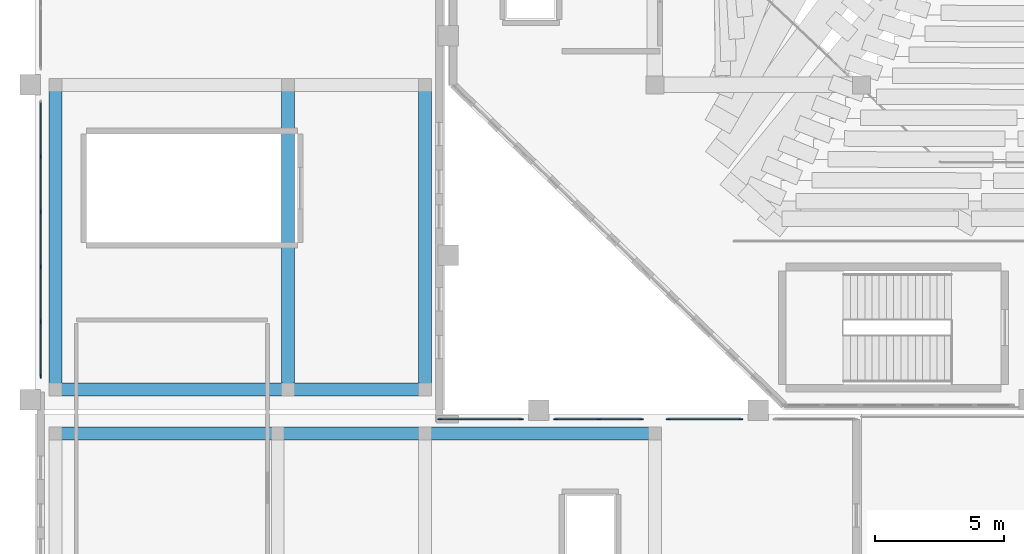
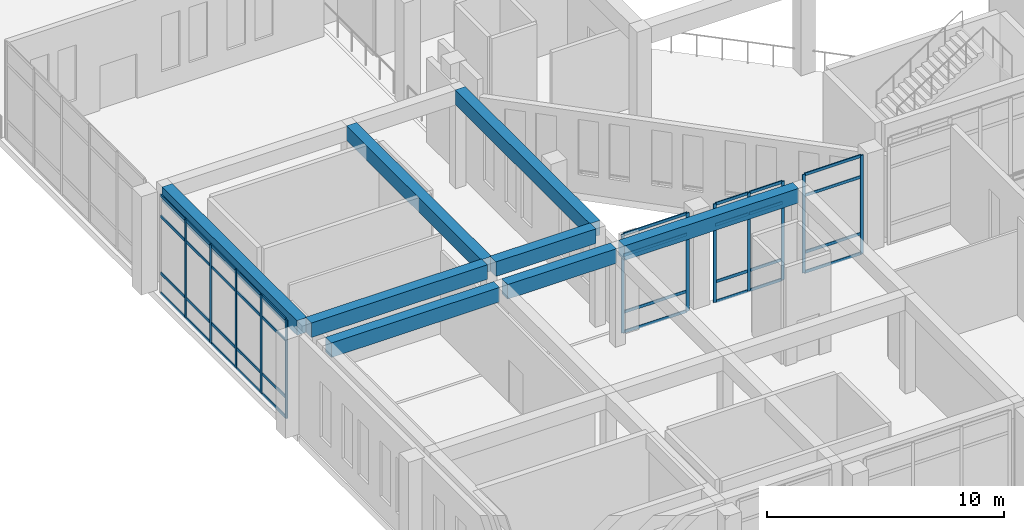
# One storey, part 5 of 55: 48 members, 8 beams, 4 elements without a shape of their own.
"""IFC4 building model written with IfcOpenShell, lengths in metres."""

from ifc_helpers import new_model, si_unit, derived_unit, direction, frame, origin, origin_2d, place, context, subcontext, project, spatial, rectangle, extrude, material, layer, layer_set, material_profile, profile_set, type_object, element, aggregate, save


model = new_model("IFC4")

# Units and contexts
model_context = context("Model", 3, precision=1e-05, world=origin(), true_north=direction((0.0, 1.0)))
body_context = subcontext(model_context, "Body", "Model", "MODEL_VIEW")
ifc_project = project(units=[si_unit("LENGTHUNIT", "METRE"), si_unit("AREAUNIT", "SQUARE_METRE"), si_unit("VOLUMEUNIT", "CUBIC_METRE"), si_unit("PLANEANGLEUNIT", "RADIAN"), si_unit("MASSUNIT", "GRAM", prefix="KILO"), derived_unit("THERMALTRANSMITTANCEUNIT", [(si_unit("MASSUNIT", "GRAM", prefix="KILO"), 1), (si_unit("TIMEUNIT", "SECOND"), -3), (si_unit("THERMODYNAMICTEMPERATUREUNIT", "KELVIN"), -1)])], contexts=[model_context])

# Site, building, storey
site_placement = place(None, origin())
site = spatial("IfcSite", under=ifc_project, at=site_placement, CompositionType="ELEMENT")
building_placement = place(site_placement, origin())
building = spatial("IfcBuilding", under=site, at=building_placement, Name="Valcora Ridge Arena", CompositionType="ELEMENT")
storey_placement = place(building_placement, frame((0.0, 0.0, 21.0)))
storey = spatial("IfcBuildingStorey", under=building, at=storey_placement, Name="L04", CompositionType="ELEMENT", Elevation=21.0)

# Beams
ifc_material_1 = material(Name="Concrete C40/50", Category="concrete")
ifc_material_profile_1 = material_profile(ifc_material_1, rectangle(XDim=0.5, YDim=0.75, at=origin_2d()), Name="RC 500x750")
ifc_profile_set_1 = profile_set([ifc_material_profile_1], Name="Concrete C40/50")
beam_type_1 = type_object("IfcBeamType", Name="TY-BEAM-B-RC500-X", PredefinedType="BEAM", material=ifc_profile_set_1)
beam_1_placement = place(storey_placement, frame((1.0, 19.10009765625, 4.705078125), z_axis=(1.0, 0.0, 0.0), x_axis=(0.0, 1.0, 0.0)))
element("IfcBeam", 1, at=beam_1_placement, inside=storey, type_object=beam_type_1, Name="B-RC500-X BEM-B-RC500-X-0092", PredefinedType="BEAM", context=body_context, shape_type="SweptSolid", body=[
    extrude(rectangle(XDim=0.5, YDim=0.75, at=origin_2d()), origin(), (0.0, 0.0, 1.0), 8.199951171875),
])
beam_2_placement = place(storey_placement, frame((9.60009765625, 19.10009765625, 4.705078125), z_axis=(1.0, 0.0, 0.0), x_axis=(0.0, 1.0, 0.0)))
element("IfcBeam", 2, at=beam_2_placement, inside=storey, type_object=beam_type_1, Name="B-RC500-X BEM-B-RC500-X-0093", PredefinedType="BEAM", context=body_context, shape_type="SweptSolid", body=[
    extrude(rectangle(XDim=0.5, YDim=0.75, at=origin_2d()), origin(), (0.0, 0.0, 1.0), 5.2998046875),
])
beam_3_placement = place(storey_placement, frame((15.300048828125, 19.10009765625, 4.705078125), z_axis=(1.0, 0.0, 0.0), x_axis=(0.0, 1.0, 0.0)))
element("IfcBeam", 3, at=beam_3_placement, inside=storey, type_object=beam_type_1, Name="B-RC500-X BEM-B-RC500-X-0094", PredefinedType="BEAM", context=body_context, shape_type="SweptSolid", body=[
    extrude(rectangle(XDim=0.5, YDim=0.75, at=origin_2d()), origin(), (0.0, 0.0, 1.0), 8.5),
])
beam_4_placement = place(storey_placement, frame((1.0, 20.800048828125, 4.705078125), z_axis=(1.0, 0.0, 0.0), x_axis=(0.0, 1.0, 0.0)))
element("IfcBeam", 4, at=beam_4_placement, inside=storey, type_object=beam_type_1, Name="B-RC500-X BEM-B-RC500-X-0095", PredefinedType="BEAM", context=body_context, shape_type="SweptSolid", body=[
    extrude(rectangle(XDim=0.5, YDim=0.75, at=origin_2d()), origin(), (0.0, 0.0, 1.0), 8.60009765625),
])
beam_5_placement = place(storey_placement, frame((10.0, 20.800048828125, 4.705078125), z_axis=(1.0, 0.0, 0.0), x_axis=(0.0, 1.0, 0.0)))
element("IfcBeam", 5, at=beam_5_placement, inside=storey, type_object=beam_type_1, Name="B-RC500-X BEM-B-RC500-X-0096", PredefinedType="BEAM", context=body_context, shape_type="SweptSolid", body=[
    extrude(rectangle(XDim=0.5, YDim=0.75, at=origin_2d()), origin(), (0.0, 0.0, 1.0), 4.89990234375),
])
ifc_material_profile_2 = material_profile(ifc_material_1, rectangle(XDim=0.5, YDim=0.75, at=origin_2d()), Name="RC 500x750")
ifc_profile_set_2 = profile_set([ifc_material_profile_2], Name="Concrete C40/50")
beam_type_2 = type_object("IfcBeamType", Name="TY-BEAM-B-RC500-Y", PredefinedType="BEAM", material=ifc_profile_set_2)
for number, where, z_axis, x_axis, name in (
    (6, (0.800048828125, 21.0, 4.705078125), (0.0, 1.0, 0.0), (-1.0, 0.0, 0.0), "B-RC500-Y BEM-B-RC500-Y-0109"),
    (7, (9.800048828125, 21.0, 4.705078125), (0.0, 1.0, 0.0), (-1.0, 0.0, 0.0), "B-RC500-Y BEM-B-RC500-Y-0112"),
    (8, (15.10009765625, 21.0, 4.705078125), (0.0, 1.0, 0.0), (-1.0, 0.0, 0.0), "B-RC500-Y BEM-B-RC500-Y-0115"),
):
    element("IfcBeam", number, at=place(storey_placement, frame(where, z_axis=z_axis, x_axis=x_axis)), inside=storey, type_object=beam_type_2, Name=name, PredefinedType="BEAM", context=body_context, shape_type="SweptSolid", body=[
        extrude(rectangle(XDim=0.5, YDim=0.75, at=origin_2d()), origin(), (0.0, 0.0, 1.0), 11.39990234375),
    ])

# Curtain wall, members
ifc_material_2 = material(Name="Anodised dark bronze architectural aluminium 6063-T6", Category="aluminium")
ifc_layer_1 = layer(ifc_material_2, 0.14990234375, Name="Anodised dark bronze architectural aluminium 6063-T6")
ifc_layer_set_1 = layer_set([ifc_layer_1], Name="Anodised dark bronze architectural aluminium 6063-T6")
curtain_wall_type_1 = type_object("IfcCurtainWallType", Name="TY-CURTAINWALL-CW-V4-CLUB-032X51", PredefinedType="NOTDEFINED", material=ifc_layer_set_1)
curtain_wall_1_placement = place(storey_placement, origin())
curtain_wall_1 = element("IfcCurtainWall", 9, at=curtain_wall_1_placement, inside=storey, type_object=curtain_wall_type_1, Name="CW-V4-CLUB-032X51 CW-0300", PredefinedType="NOTDEFINED")
ifc_material_profile_3 = material_profile(ifc_material_2, rectangle(XDim=0.050048828125, YDim=0.14990234375, at=origin_2d()), Name="ALU MULLION 50x150")
ifc_profile_set_3 = profile_set([ifc_material_profile_3], Name="Anodised dark bronze architectural aluminium 6063-T6")
member_type_1 = type_object("IfcMemberType", Name="TY-MEM-CWM-50x150", PredefinedType="MULLION", material=ifc_profile_set_3)
member_1_placement = place(storey_placement, frame((15.675048828125, 19.64990234375, 0.0), z_axis=(0.0, 0.0, 1.0), x_axis=(0.0, 1.0, 0.0)))
member_1 = element("IfcMember", 10, at=member_1_placement, type_object=member_type_1, Name="CW-0300/CWM-50x150/M00", PredefinedType="MULLION", context=body_context, shape_type="SweptSolid", body=[
    extrude(rectangle(XDim=0.050048828125, YDim=0.14990234375, at=origin_2d()), origin(), (0.0, 0.0, 1.0), 5.080078125),
])
member_2_placement = place(storey_placement, frame((18.8349609375, 19.64990234375, 0.0), z_axis=(0.0, 0.0, 1.0), x_axis=(0.0, 1.0, 0.0)))
member_2 = element("IfcMember", 11, at=member_2_placement, type_object=member_type_1, Name="CW-0300/CWM-50x150/M01", PredefinedType="MULLION", context=body_context, shape_type="SweptSolid", body=[
    extrude(rectangle(XDim=0.050048828125, YDim=0.14990234375, at=origin_2d()), origin(), (0.0, 0.0, 1.0), 5.080078125),
])

ifc_layer_2 = layer(ifc_material_2, 0.14990234375, Name="Anodised dark bronze architectural aluminium 6063-T6")
ifc_layer_set_2 = layer_set([ifc_layer_2], Name="Anodised dark bronze architectural aluminium 6063-T6")
curtain_wall_type_2 = type_object("IfcCurtainWallType", Name="TY-CURTAINWALL-CW-V4-CLUB-034X51", PredefinedType="NOTDEFINED", material=ifc_layer_set_2)
curtain_wall_2_placement = place(storey_placement, origin())
curtain_wall_2 = element("IfcCurtainWall", 12, at=curtain_wall_2_placement, inside=storey, type_object=curtain_wall_type_2, Name="CW-V4-CLUB-034X51 CW-0301", PredefinedType="NOTDEFINED")
member_3_placement = place(storey_placement, frame((20.1650390625, 19.64990234375, 0.0), z_axis=(0.0, 0.0, 1.0), x_axis=(0.0, 1.0, 0.0)))
member_3 = element("IfcMember", 13, at=member_3_placement, type_object=member_type_1, Name="CW-0301/CWM-50x150/M00", PredefinedType="MULLION", context=body_context, shape_type="SweptSolid", body=[
    extrude(rectangle(XDim=0.050048828125, YDim=0.14990234375, at=origin_2d()), origin(), (0.0, 0.0, 1.0), 5.080078125),
])
member_4_placement = place(storey_placement, frame((21.824951171875, 19.64990234375, 0.0), z_axis=(0.0, 0.0, 1.0), x_axis=(0.0, 1.0, 0.0)))
member_4 = element("IfcMember", 14, at=member_4_placement, type_object=member_type_1, Name="CW-0301/CWM-50x150/M01", PredefinedType="MULLION", context=body_context, shape_type="SweptSolid", body=[
    extrude(rectangle(XDim=0.050048828125, YDim=0.14990234375, at=origin_2d()), origin(), (0.0, 0.0, 1.0), 5.080078125),
])
member_5_placement = place(storey_placement, frame((23.485107421875, 19.64990234375, 0.0), z_axis=(0.0, 0.0, 1.0), x_axis=(0.0, 1.0, 0.0)))
member_5 = element("IfcMember", 15, at=member_5_placement, type_object=member_type_1, Name="CW-0301/CWM-50x150/M02", PredefinedType="MULLION", context=body_context, shape_type="SweptSolid", body=[
    extrude(rectangle(XDim=0.050048828125, YDim=0.14990234375, at=origin_2d()), origin(), (0.0, 0.0, 1.0), 5.080078125),
])

ifc_layer_3 = layer(ifc_material_2, 0.14990234375, Name="Anodised dark bronze architectural aluminium 6063-T6")
ifc_layer_set_3 = layer_set([ifc_layer_3], Name="Anodised dark bronze architectural aluminium 6063-T6")
curtain_wall_type_3 = type_object("IfcCurtainWallType", Name="TY-CURTAINWALL-CW-V4-CLUB-029X51", PredefinedType="NOTDEFINED", material=ifc_layer_set_3)
curtain_wall_3_placement = place(storey_placement, origin())
curtain_wall_3 = element("IfcCurtainWall", 16, at=curtain_wall_3_placement, inside=storey, type_object=curtain_wall_type_3, Name="CW-V4-CLUB-029X51 CW-0302", PredefinedType="NOTDEFINED")
member_6_placement = place(storey_placement, frame((24.514892578125, 19.64990234375, 0.0), z_axis=(0.0, 0.0, 1.0), x_axis=(0.0, 1.0, 0.0)))
member_6 = element("IfcMember", 17, at=member_6_placement, type_object=member_type_1, Name="CW-0302/CWM-50x150/M00", PredefinedType="MULLION", context=body_context, shape_type="SweptSolid", body=[
    extrude(rectangle(XDim=0.050048828125, YDim=0.14990234375, at=origin_2d()), origin(), (0.0, 0.0, 1.0), 5.080078125),
])
member_7_placement = place(storey_placement, frame((27.3349609375, 19.64990234375, 0.0), z_axis=(0.0, 0.0, 1.0), x_axis=(0.0, 1.0, 0.0)))
member_7 = element("IfcMember", 18, at=member_7_placement, type_object=member_type_1, Name="CW-0302/CWM-50x150/M01", PredefinedType="MULLION", context=body_context, shape_type="SweptSolid", body=[
    extrude(rectangle(XDim=0.050048828125, YDim=0.14990234375, at=origin_2d()), origin(), (0.0, 0.0, 1.0), 5.080078125),
])

ifc_layer_4 = layer(ifc_material_2, 0.14990234375, Name="Anodised dark bronze architectural aluminium 6063-T6")
ifc_layer_set_4 = layer_set([ifc_layer_4], Name="Anodised dark bronze architectural aluminium 6063-T6")
curtain_wall_type_4 = type_object("IfcCurtainWallType", Name="TY-CURTAINWALL-CW-V4-CLUB-107X51", PredefinedType="NOTDEFINED", material=ifc_layer_set_4)
curtain_wall_4_placement = place(storey_placement, origin())
curtain_wall_4 = element("IfcCurtainWall", 19, at=curtain_wall_4_placement, inside=storey, type_object=curtain_wall_type_4, Name="CW-V4-CLUB-107X51 CW-0304", PredefinedType="NOTDEFINED")
member_8_placement = place(storey_placement, frame((0.219970703125, 21.31494140625, 0.0), z_axis=(0.0, 0.0, 1.0), x_axis=(-1.0, 0.0, 0.0)))
member_8 = element("IfcMember", 20, at=member_8_placement, type_object=member_type_1, Name="CW-0304/CWM-50x150/M00", PredefinedType="MULLION", context=body_context, shape_type="SweptSolid", body=[
    extrude(rectangle(XDim=0.050048828125, YDim=0.14990234375, at=origin_2d()), origin(), (0.0, 0.0, 1.0), 5.080078125),
])
member_9_placement = place(storey_placement, frame((0.219970703125, 23.424072265625, 0.0), z_axis=(0.0, 0.0, 1.0), x_axis=(-1.0, 0.0, 0.0)))
member_9 = element("IfcMember", 21, at=member_9_placement, type_object=member_type_1, Name="CW-0304/CWM-50x150/M01", PredefinedType="MULLION", context=body_context, shape_type="SweptSolid", body=[
    extrude(rectangle(XDim=0.050048828125, YDim=0.14990234375, at=origin_2d()), origin(), (0.0, 0.0, 1.0), 5.080078125),
])
member_10_placement = place(storey_placement, frame((0.219970703125, 25.55810546875, 0.0), z_axis=(0.0, 0.0, 1.0), x_axis=(-1.0, 0.0, 0.0)))
member_10 = element("IfcMember", 22, at=member_10_placement, type_object=member_type_1, Name="CW-0304/CWM-50x150/M02", PredefinedType="MULLION", context=body_context, shape_type="SweptSolid", body=[
    extrude(rectangle(XDim=0.050048828125, YDim=0.14990234375, at=origin_2d()), origin(), (0.0, 0.0, 1.0), 5.080078125),
])
member_11_placement = place(storey_placement, frame((0.219970703125, 27.69189453125, 0.0), z_axis=(0.0, 0.0, 1.0), x_axis=(-1.0, 0.0, 0.0)))
member_11 = element("IfcMember", 23, at=member_11_placement, type_object=member_type_1, Name="CW-0304/CWM-50x150/M03", PredefinedType="MULLION", context=body_context, shape_type="SweptSolid", body=[
    extrude(rectangle(XDim=0.050048828125, YDim=0.14990234375, at=origin_2d()), origin(), (0.0, 0.0, 1.0), 5.080078125),
])
member_12_placement = place(storey_placement, frame((0.219970703125, 29.825927734375, 0.0), z_axis=(0.0, 0.0, 1.0), x_axis=(-1.0, 0.0, 0.0)))
member_12 = element("IfcMember", 24, at=member_12_placement, type_object=member_type_1, Name="CW-0304/CWM-50x150/M04", PredefinedType="MULLION", context=body_context, shape_type="SweptSolid", body=[
    extrude(rectangle(XDim=0.050048828125, YDim=0.14990234375, at=origin_2d()), origin(), (0.0, 0.0, 1.0), 5.080078125),
])

# Member
ifc_material_profile_4 = material_profile(ifc_material_2, rectangle(XDim=0.050048828125, YDim=0.14990234375, at=origin_2d()), Name="ALU TRANSOM 50x150")
ifc_profile_set_4 = profile_set([ifc_material_profile_4], Name="Anodised dark bronze architectural aluminium 6063-T6")
member_type_2 = type_object("IfcMemberType", Name="TY-MEM-CWT-50x150", PredefinedType="USERDEFINED", material=ifc_profile_set_4)
member_13_placement = place(storey_placement, frame((15.699951171875, 19.64990234375, 0.02490234375), z_axis=(1.0, 0.0, 0.0), x_axis=(0.0, 1.0, 0.0)))
member_13 = element("IfcMember", 25, at=member_13_placement, type_object=member_type_2, Name="CW-0300/CWT-50x150/T00-00", ObjectType="TRANSOM", PredefinedType="USERDEFINED", context=body_context, shape_type="SweptSolid", body=[
    extrude(rectangle(XDim=0.050048828125, YDim=0.14990234375, at=origin_2d()), origin(), (0.0, 0.0, 1.0), 3.110107421875),
])

member_14_placement = place(storey_placement, frame((15.699951171875, 19.64990234375, 1.050048828125), z_axis=(1.0, 0.0, 0.0), x_axis=(0.0, 1.0, 0.0)))
member_14 = element("IfcMember", 26, at=member_14_placement, type_object=member_type_2, Name="CW-0300/CWT-50x150/T00-01", ObjectType="TRANSOM", PredefinedType="USERDEFINED", context=body_context, shape_type="SweptSolid", body=[
    extrude(rectangle(XDim=0.050048828125, YDim=0.14990234375, at=origin_2d()), origin(), (0.0, 0.0, 1.0), 3.110107421875),
])

member_15_placement = place(storey_placement, frame((15.699951171875, 19.64990234375, 3.97998046875), z_axis=(1.0, 0.0, 0.0), x_axis=(0.0, 1.0, 0.0)))
member_15 = element("IfcMember", 27, at=member_15_placement, type_object=member_type_2, Name="CW-0300/CWT-50x150/T00-02", ObjectType="TRANSOM", PredefinedType="USERDEFINED", context=body_context, shape_type="SweptSolid", body=[
    extrude(rectangle(XDim=0.050048828125, YDim=0.14990234375, at=origin_2d()), origin(), (0.0, 0.0, 1.0), 3.110107421875),
])

member_16_placement = place(storey_placement, frame((15.699951171875, 19.64990234375, 5.054931640625), z_axis=(1.0, 0.0, 0.0), x_axis=(0.0, 1.0, 0.0)))
member_16 = element("IfcMember", 28, at=member_16_placement, type_object=member_type_2, Name="CW-0300/CWT-50x150/T00-03", ObjectType="TRANSOM", PredefinedType="USERDEFINED", context=body_context, shape_type="SweptSolid", body=[
    extrude(rectangle(XDim=0.050048828125, YDim=0.14990234375, at=origin_2d()), origin(), (0.0, 0.0, 1.0), 3.110107421875),
])

aggregate(curtain_wall_1, [member_1, member_2, member_13, member_14, member_15, member_16])

member_17_placement = place(storey_placement, frame((20.18994140625, 19.64990234375, 0.02490234375), z_axis=(1.0, 0.0, 0.0), x_axis=(0.0, 1.0, 0.0)))
member_17 = element("IfcMember", 29, at=member_17_placement, type_object=member_type_2, Name="CW-0301/CWT-50x150/T00-00", ObjectType="TRANSOM", PredefinedType="USERDEFINED", context=body_context, shape_type="SweptSolid", body=[
    extrude(rectangle(XDim=0.050048828125, YDim=0.14990234375, at=origin_2d()), origin(), (0.0, 0.0, 1.0), 1.610107421875),
])

member_18_placement = place(storey_placement, frame((20.18994140625, 19.64990234375, 1.050048828125), z_axis=(1.0, 0.0, 0.0), x_axis=(0.0, 1.0, 0.0)))
member_18 = element("IfcMember", 30, at=member_18_placement, type_object=member_type_2, Name="CW-0301/CWT-50x150/T00-01", ObjectType="TRANSOM", PredefinedType="USERDEFINED", context=body_context, shape_type="SweptSolid", body=[
    extrude(rectangle(XDim=0.050048828125, YDim=0.14990234375, at=origin_2d()), origin(), (0.0, 0.0, 1.0), 1.610107421875),
])

member_19_placement = place(storey_placement, frame((20.18994140625, 19.64990234375, 3.97998046875), z_axis=(1.0, 0.0, 0.0), x_axis=(0.0, 1.0, 0.0)))
member_19 = element("IfcMember", 31, at=member_19_placement, type_object=member_type_2, Name="CW-0301/CWT-50x150/T00-02", ObjectType="TRANSOM", PredefinedType="USERDEFINED", context=body_context, shape_type="SweptSolid", body=[
    extrude(rectangle(XDim=0.050048828125, YDim=0.14990234375, at=origin_2d()), origin(), (0.0, 0.0, 1.0), 1.610107421875),
])

member_20_placement = place(storey_placement, frame((20.18994140625, 19.64990234375, 5.054931640625), z_axis=(1.0, 0.0, 0.0), x_axis=(0.0, 1.0, 0.0)))
member_20 = element("IfcMember", 32, at=member_20_placement, type_object=member_type_2, Name="CW-0301/CWT-50x150/T00-03", ObjectType="TRANSOM", PredefinedType="USERDEFINED", context=body_context, shape_type="SweptSolid", body=[
    extrude(rectangle(XDim=0.050048828125, YDim=0.14990234375, at=origin_2d()), origin(), (0.0, 0.0, 1.0), 1.610107421875),
])

member_21_placement = place(storey_placement, frame((21.85009765625, 19.64990234375, 0.02490234375), z_axis=(1.0, 0.0, 0.0), x_axis=(0.0, 1.0, 0.0)))
member_21 = element("IfcMember", 33, at=member_21_placement, type_object=member_type_2, Name="CW-0301/CWT-50x150/T01-00", ObjectType="TRANSOM", PredefinedType="USERDEFINED", context=body_context, shape_type="SweptSolid", body=[
    extrude(rectangle(XDim=0.050048828125, YDim=0.14990234375, at=origin_2d()), origin(), (0.0, 0.0, 1.0), 1.60986328125),
])

member_22_placement = place(storey_placement, frame((21.85009765625, 19.64990234375, 1.050048828125), z_axis=(1.0, 0.0, 0.0), x_axis=(0.0, 1.0, 0.0)))
member_22 = element("IfcMember", 34, at=member_22_placement, type_object=member_type_2, Name="CW-0301/CWT-50x150/T01-01", ObjectType="TRANSOM", PredefinedType="USERDEFINED", context=body_context, shape_type="SweptSolid", body=[
    extrude(rectangle(XDim=0.050048828125, YDim=0.14990234375, at=origin_2d()), origin(), (0.0, 0.0, 1.0), 1.60986328125),
])

member_23_placement = place(storey_placement, frame((21.85009765625, 19.64990234375, 3.97998046875), z_axis=(1.0, 0.0, 0.0), x_axis=(0.0, 1.0, 0.0)))
member_23 = element("IfcMember", 35, at=member_23_placement, type_object=member_type_2, Name="CW-0301/CWT-50x150/T01-02", ObjectType="TRANSOM", PredefinedType="USERDEFINED", context=body_context, shape_type="SweptSolid", body=[
    extrude(rectangle(XDim=0.050048828125, YDim=0.14990234375, at=origin_2d()), origin(), (0.0, 0.0, 1.0), 1.60986328125),
])

member_24_placement = place(storey_placement, frame((21.85009765625, 19.64990234375, 5.054931640625), z_axis=(1.0, 0.0, 0.0), x_axis=(0.0, 1.0, 0.0)))
member_24 = element("IfcMember", 36, at=member_24_placement, type_object=member_type_2, Name="CW-0301/CWT-50x150/T01-03", ObjectType="TRANSOM", PredefinedType="USERDEFINED", context=body_context, shape_type="SweptSolid", body=[
    extrude(rectangle(XDim=0.050048828125, YDim=0.14990234375, at=origin_2d()), origin(), (0.0, 0.0, 1.0), 1.60986328125),
])

aggregate(curtain_wall_2, [member_3, member_4, member_5, member_17, member_18, member_19, member_20, member_21, member_22, member_23, member_24])

member_25_placement = place(storey_placement, frame((24.5400390625, 19.64990234375, 0.02490234375), z_axis=(1.0, 0.0, 0.0), x_axis=(0.0, 1.0, 0.0)))
member_25 = element("IfcMember", 37, at=member_25_placement, type_object=member_type_2, Name="CW-0302/CWT-50x150/T00-00", ObjectType="TRANSOM", PredefinedType="USERDEFINED", context=body_context, shape_type="SweptSolid", body=[
    extrude(rectangle(XDim=0.050048828125, YDim=0.14990234375, at=origin_2d()), origin(), (0.0, 0.0, 1.0), 2.77001953125),
])

member_26_placement = place(storey_placement, frame((24.5400390625, 19.64990234375, 1.050048828125), z_axis=(1.0, 0.0, 0.0), x_axis=(0.0, 1.0, 0.0)))
member_26 = element("IfcMember", 38, at=member_26_placement, type_object=member_type_2, Name="CW-0302/CWT-50x150/T00-01", ObjectType="TRANSOM", PredefinedType="USERDEFINED", context=body_context, shape_type="SweptSolid", body=[
    extrude(rectangle(XDim=0.050048828125, YDim=0.14990234375, at=origin_2d()), origin(), (0.0, 0.0, 1.0), 2.77001953125),
])

member_27_placement = place(storey_placement, frame((24.5400390625, 19.64990234375, 3.97998046875), z_axis=(1.0, 0.0, 0.0), x_axis=(0.0, 1.0, 0.0)))
member_27 = element("IfcMember", 39, at=member_27_placement, type_object=member_type_2, Name="CW-0302/CWT-50x150/T00-02", ObjectType="TRANSOM", PredefinedType="USERDEFINED", context=body_context, shape_type="SweptSolid", body=[
    extrude(rectangle(XDim=0.050048828125, YDim=0.14990234375, at=origin_2d()), origin(), (0.0, 0.0, 1.0), 2.77001953125),
])

member_28_placement = place(storey_placement, frame((24.5400390625, 19.64990234375, 5.054931640625), z_axis=(1.0, 0.0, 0.0), x_axis=(0.0, 1.0, 0.0)))
member_28 = element("IfcMember", 40, at=member_28_placement, type_object=member_type_2, Name="CW-0302/CWT-50x150/T00-03", ObjectType="TRANSOM", PredefinedType="USERDEFINED", context=body_context, shape_type="SweptSolid", body=[
    extrude(rectangle(XDim=0.050048828125, YDim=0.14990234375, at=origin_2d()), origin(), (0.0, 0.0, 1.0), 2.77001953125),
])

aggregate(curtain_wall_3, [member_6, member_7, member_25, member_26, member_27, member_28])

member_29_placement = place(storey_placement, frame((0.219970703125, 21.340087890625, 0.02490234375), z_axis=(0.0, 1.0, 0.0), x_axis=(-1.0, 0.0, 0.0)))
member_29 = element("IfcMember", 41, at=member_29_placement, type_object=member_type_2, Name="CW-0304/CWT-50x150/T00-00", ObjectType="TRANSOM", PredefinedType="USERDEFINED", context=body_context, shape_type="SweptSolid", body=[
    extrude(rectangle(XDim=0.050048828125, YDim=0.14990234375, at=origin_2d()), origin(), (0.0, 0.0, 1.0), 2.058837890625),
])

member_30_placement = place(storey_placement, frame((0.219970703125, 21.340087890625, 1.050048828125), z_axis=(0.0, 1.0, 0.0), x_axis=(-1.0, 0.0, 0.0)))
member_30 = element("IfcMember", 42, at=member_30_placement, type_object=member_type_2, Name="CW-0304/CWT-50x150/T00-01", ObjectType="TRANSOM", PredefinedType="USERDEFINED", context=body_context, shape_type="SweptSolid", body=[
    extrude(rectangle(XDim=0.050048828125, YDim=0.14990234375, at=origin_2d()), origin(), (0.0, 0.0, 1.0), 2.058837890625),
])

member_31_placement = place(storey_placement, frame((0.219970703125, 21.340087890625, 3.97998046875), z_axis=(0.0, 1.0, 0.0), x_axis=(-1.0, 0.0, 0.0)))
member_31 = element("IfcMember", 43, at=member_31_placement, type_object=member_type_2, Name="CW-0304/CWT-50x150/T00-02", ObjectType="TRANSOM", PredefinedType="USERDEFINED", context=body_context, shape_type="SweptSolid", body=[
    extrude(rectangle(XDim=0.050048828125, YDim=0.14990234375, at=origin_2d()), origin(), (0.0, 0.0, 1.0), 2.058837890625),
])

member_32_placement = place(storey_placement, frame((0.219970703125, 21.340087890625, 5.054931640625), z_axis=(0.0, 1.0, 0.0), x_axis=(-1.0, 0.0, 0.0)))
member_32 = element("IfcMember", 44, at=member_32_placement, type_object=member_type_2, Name="CW-0304/CWT-50x150/T00-03", ObjectType="TRANSOM", PredefinedType="USERDEFINED", context=body_context, shape_type="SweptSolid", body=[
    extrude(rectangle(XDim=0.050048828125, YDim=0.14990234375, at=origin_2d()), origin(), (0.0, 0.0, 1.0), 2.058837890625),
])

member_33_placement = place(storey_placement, frame((0.219970703125, 23.448974609375, 0.02490234375), z_axis=(0.0, 1.0, 0.0), x_axis=(-1.0, 0.0, 0.0)))
member_33 = element("IfcMember", 45, at=member_33_placement, type_object=member_type_2, Name="CW-0304/CWT-50x150/T01-00", ObjectType="TRANSOM", PredefinedType="USERDEFINED", context=body_context, shape_type="SweptSolid", body=[
    extrude(rectangle(XDim=0.050048828125, YDim=0.14990234375, at=origin_2d()), origin(), (0.0, 0.0, 1.0), 2.083984375),
])

member_34_placement = place(storey_placement, frame((0.219970703125, 23.448974609375, 1.050048828125), z_axis=(0.0, 1.0, 0.0), x_axis=(-1.0, 0.0, 0.0)))
member_34 = element("IfcMember", 46, at=member_34_placement, type_object=member_type_2, Name="CW-0304/CWT-50x150/T01-01", ObjectType="TRANSOM", PredefinedType="USERDEFINED", context=body_context, shape_type="SweptSolid", body=[
    extrude(rectangle(XDim=0.050048828125, YDim=0.14990234375, at=origin_2d()), origin(), (0.0, 0.0, 1.0), 2.083984375),
])

member_35_placement = place(storey_placement, frame((0.219970703125, 23.448974609375, 3.97998046875), z_axis=(0.0, 1.0, 0.0), x_axis=(-1.0, 0.0, 0.0)))
member_35 = element("IfcMember", 47, at=member_35_placement, type_object=member_type_2, Name="CW-0304/CWT-50x150/T01-02", ObjectType="TRANSOM", PredefinedType="USERDEFINED", context=body_context, shape_type="SweptSolid", body=[
    extrude(rectangle(XDim=0.050048828125, YDim=0.14990234375, at=origin_2d()), origin(), (0.0, 0.0, 1.0), 2.083984375),
])

member_36_placement = place(storey_placement, frame((0.219970703125, 23.448974609375, 5.054931640625), z_axis=(0.0, 1.0, 0.0), x_axis=(-1.0, 0.0, 0.0)))
member_36 = element("IfcMember", 48, at=member_36_placement, type_object=member_type_2, Name="CW-0304/CWT-50x150/T01-03", ObjectType="TRANSOM", PredefinedType="USERDEFINED", context=body_context, shape_type="SweptSolid", body=[
    extrude(rectangle(XDim=0.050048828125, YDim=0.14990234375, at=origin_2d()), origin(), (0.0, 0.0, 1.0), 2.083984375),
])

member_37_placement = place(storey_placement, frame((0.219970703125, 25.5830078125, 0.02490234375), z_axis=(0.0, 1.0, 0.0), x_axis=(-1.0, 0.0, 0.0)))
member_37 = element("IfcMember", 49, at=member_37_placement, type_object=member_type_2, Name="CW-0304/CWT-50x150/T02-00", ObjectType="TRANSOM", PredefinedType="USERDEFINED", context=body_context, shape_type="SweptSolid", body=[
    extrude(rectangle(XDim=0.050048828125, YDim=0.14990234375, at=origin_2d()), origin(), (0.0, 0.0, 1.0), 2.083984375),
])

member_38_placement = place(storey_placement, frame((0.219970703125, 25.5830078125, 1.050048828125), z_axis=(0.0, 1.0, 0.0), x_axis=(-1.0, 0.0, 0.0)))
member_38 = element("IfcMember", 50, at=member_38_placement, type_object=member_type_2, Name="CW-0304/CWT-50x150/T02-01", ObjectType="TRANSOM", PredefinedType="USERDEFINED", context=body_context, shape_type="SweptSolid", body=[
    extrude(rectangle(XDim=0.050048828125, YDim=0.14990234375, at=origin_2d()), origin(), (0.0, 0.0, 1.0), 2.083984375),
])

member_39_placement = place(storey_placement, frame((0.219970703125, 25.5830078125, 3.97998046875), z_axis=(0.0, 1.0, 0.0), x_axis=(-1.0, 0.0, 0.0)))
member_39 = element("IfcMember", 51, at=member_39_placement, type_object=member_type_2, Name="CW-0304/CWT-50x150/T02-02", ObjectType="TRANSOM", PredefinedType="USERDEFINED", context=body_context, shape_type="SweptSolid", body=[
    extrude(rectangle(XDim=0.050048828125, YDim=0.14990234375, at=origin_2d()), origin(), (0.0, 0.0, 1.0), 2.083984375),
])

member_40_placement = place(storey_placement, frame((0.219970703125, 25.5830078125, 5.054931640625), z_axis=(0.0, 1.0, 0.0), x_axis=(-1.0, 0.0, 0.0)))
member_40 = element("IfcMember", 52, at=member_40_placement, type_object=member_type_2, Name="CW-0304/CWT-50x150/T02-03", ObjectType="TRANSOM", PredefinedType="USERDEFINED", context=body_context, shape_type="SweptSolid", body=[
    extrude(rectangle(XDim=0.050048828125, YDim=0.14990234375, at=origin_2d()), origin(), (0.0, 0.0, 1.0), 2.083984375),
])

member_41_placement = place(storey_placement, frame((0.219970703125, 27.717041015625, 0.02490234375), z_axis=(0.0, 1.0, 0.0), x_axis=(-1.0, 0.0, 0.0)))
member_41 = element("IfcMember", 53, at=member_41_placement, type_object=member_type_2, Name="CW-0304/CWT-50x150/T03-00", ObjectType="TRANSOM", PredefinedType="USERDEFINED", context=body_context, shape_type="SweptSolid", body=[
    extrude(rectangle(XDim=0.050048828125, YDim=0.14990234375, at=origin_2d()), origin(), (0.0, 0.0, 1.0), 2.083984375),
])

member_42_placement = place(storey_placement, frame((0.219970703125, 27.717041015625, 1.050048828125), z_axis=(0.0, 1.0, 0.0), x_axis=(-1.0, 0.0, 0.0)))
member_42 = element("IfcMember", 54, at=member_42_placement, type_object=member_type_2, Name="CW-0304/CWT-50x150/T03-01", ObjectType="TRANSOM", PredefinedType="USERDEFINED", context=body_context, shape_type="SweptSolid", body=[
    extrude(rectangle(XDim=0.050048828125, YDim=0.14990234375, at=origin_2d()), origin(), (0.0, 0.0, 1.0), 2.083984375),
])

member_43_placement = place(storey_placement, frame((0.219970703125, 27.717041015625, 3.97998046875), z_axis=(0.0, 1.0, 0.0), x_axis=(-1.0, 0.0, 0.0)))
member_43 = element("IfcMember", 55, at=member_43_placement, type_object=member_type_2, Name="CW-0304/CWT-50x150/T03-02", ObjectType="TRANSOM", PredefinedType="USERDEFINED", context=body_context, shape_type="SweptSolid", body=[
    extrude(rectangle(XDim=0.050048828125, YDim=0.14990234375, at=origin_2d()), origin(), (0.0, 0.0, 1.0), 2.083984375),
])

member_44_placement = place(storey_placement, frame((0.219970703125, 27.717041015625, 5.054931640625), z_axis=(0.0, 1.0, 0.0), x_axis=(-1.0, 0.0, 0.0)))
member_44 = element("IfcMember", 56, at=member_44_placement, type_object=member_type_2, Name="CW-0304/CWT-50x150/T03-03", ObjectType="TRANSOM", PredefinedType="USERDEFINED", context=body_context, shape_type="SweptSolid", body=[
    extrude(rectangle(XDim=0.050048828125, YDim=0.14990234375, at=origin_2d()), origin(), (0.0, 0.0, 1.0), 2.083984375),
])

member_45_placement = place(storey_placement, frame((0.219970703125, 29.85107421875, 0.02490234375), z_axis=(0.0, 1.0, 0.0), x_axis=(-1.0, 0.0, 0.0)))
member_45 = element("IfcMember", 57, at=member_45_placement, type_object=member_type_2, Name="CW-0304/CWT-50x150/T04-00", ObjectType="TRANSOM", PredefinedType="USERDEFINED", context=body_context, shape_type="SweptSolid", body=[
    extrude(rectangle(XDim=0.050048828125, YDim=0.14990234375, at=origin_2d()), origin(), (0.0, 0.0, 1.0), 2.058837890625),
])

member_46_placement = place(storey_placement, frame((0.219970703125, 29.85107421875, 1.050048828125), z_axis=(0.0, 1.0, 0.0), x_axis=(-1.0, 0.0, 0.0)))
member_46 = element("IfcMember", 58, at=member_46_placement, type_object=member_type_2, Name="CW-0304/CWT-50x150/T04-01", ObjectType="TRANSOM", PredefinedType="USERDEFINED", context=body_context, shape_type="SweptSolid", body=[
    extrude(rectangle(XDim=0.050048828125, YDim=0.14990234375, at=origin_2d()), origin(), (0.0, 0.0, 1.0), 2.058837890625),
])

member_47_placement = place(storey_placement, frame((0.219970703125, 29.85107421875, 3.97998046875), z_axis=(0.0, 1.0, 0.0), x_axis=(-1.0, 0.0, 0.0)))
member_47 = element("IfcMember", 59, at=member_47_placement, type_object=member_type_2, Name="CW-0304/CWT-50x150/T04-02", ObjectType="TRANSOM", PredefinedType="USERDEFINED", context=body_context, shape_type="SweptSolid", body=[
    extrude(rectangle(XDim=0.050048828125, YDim=0.14990234375, at=origin_2d()), origin(), (0.0, 0.0, 1.0), 2.058837890625),
])

member_48_placement = place(storey_placement, frame((0.219970703125, 29.85107421875, 5.054931640625), z_axis=(0.0, 1.0, 0.0), x_axis=(-1.0, 0.0, 0.0)))
member_48 = element("IfcMember", 60, at=member_48_placement, type_object=member_type_2, Name="CW-0304/CWT-50x150/T04-03", ObjectType="TRANSOM", PredefinedType="USERDEFINED", context=body_context, shape_type="SweptSolid", body=[
    extrude(rectangle(XDim=0.050048828125, YDim=0.14990234375, at=origin_2d()), origin(), (0.0, 0.0, 1.0), 2.058837890625),
])

aggregate(curtain_wall_4, [member_8, member_9, member_10, member_11, member_12, member_29, member_30, member_31, member_32, member_33, member_34, member_35, member_36, member_37, member_38, member_39, member_40, member_41, member_42, member_43, member_44, member_45, member_46, member_47, member_48])

save(model, "model.ifc")
